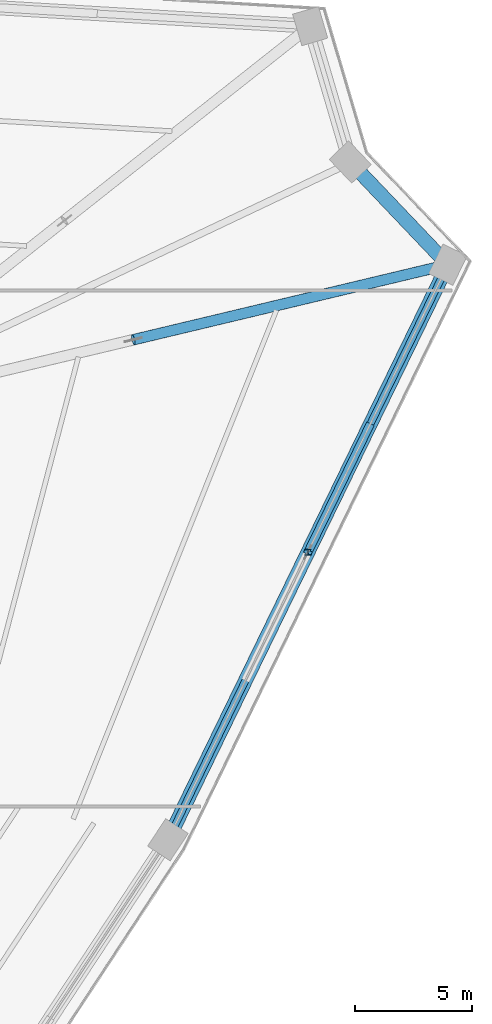
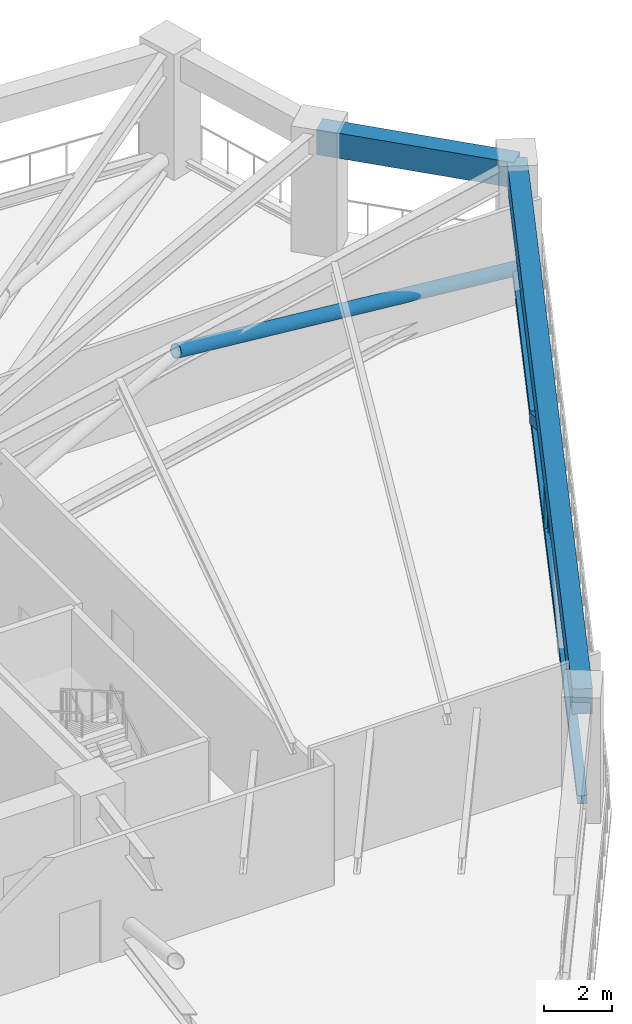
# One storey, part 10 of 23: 4 members, 2 beams.
"""IFC4 building model written with IfcOpenShell, lengths in metres."""

from ifc_helpers import new_model, si_unit, direction, frame, origin, origin_2d, place, context, subcontext, project, spatial, rectangle, hollow_rectangle, hollow_circle, i_section, extrude, source, transform, mapped, material, material_profile, profile_set, type_object, element, save


model = new_model("IFC4")

# Units and contexts
model_context = context("Model", 3, precision=1e-05, world=origin(), true_north=direction((0.0, 1.0)))
body_context = subcontext(model_context, "Body", "Model", "MODEL_VIEW")
ifc_project = project(units=[si_unit("LENGTHUNIT", "METRE"), si_unit("AREAUNIT", "SQUARE_METRE"), si_unit("VOLUMEUNIT", "CUBIC_METRE"), si_unit("PLANEANGLEUNIT", "RADIAN"), si_unit("MASSUNIT", "GRAM", prefix="KILO")], contexts=[model_context])

# Site, building, storey
site_placement = place(None, origin())
site = spatial("IfcSite", under=ifc_project, at=site_placement, CompositionType="ELEMENT")
building_placement = place(site_placement, origin())
building = spatial("IfcBuilding", under=site, at=building_placement, Name="Liaohun Quay Tower", CompositionType="ELEMENT")
storey_placement = place(building_placement, frame((0.0, 0.0, 139.5)))
storey = spatial("IfcBuildingStorey", under=building, at=storey_placement, Name="L36", CompositionType="ELEMENT", Elevation=139.5)

# Member
ifc_material_1 = material(Name="Steel Q355D", Category="steel")
ifc_material_profile_1 = material_profile(ifc_material_1, i_section(OverallWidth=0.25, OverallDepth=0.25, WebThickness=0.009033203125, FlangeThickness=0.013916015625, at=origin_2d()), Name="HW250x250x9x14")
ifc_profile_set_1 = profile_set([ifc_material_profile_1], Name="Steel Q355D")
member_type_1 = type_object("IfcMemberType", Name="MEM-BLT-PST", PredefinedType="POST", material=ifc_profile_set_1)
shared_shape_1 = source(origin(), body_context, "Body", "SweptSolid", [
    extrude(i_section(OverallWidth=0.25, OverallDepth=0.25, WebThickness=0.009033203125, FlangeThickness=0.013916015625, at=origin_2d()), origin(), (0.0, 0.0, 1.0), 3.669921875),
])
member_1_placement = place(storey_placement, frame((89.864013671875, 55.64208984375, 0.35009765625), z_axis=(0.0, 0.0, 1.0), x_axis=(1.0, 0.0, 0.0)))
element("IfcMember", 1, at=member_1_placement, inside=storey, type_object=member_type_1, Name="L36 Belt Truss Vertical Post BP-1-05", PredefinedType="POST", context=body_context, shape_type="MappedRepresentation", body=[
    mapped(shared_shape_1, transform((0.0, 0.0, 0.0), x_axis=(1.0, 0.0, 0.0), y_axis=(0.0, 1.0, 0.0), z_axis=(0.0, 0.0, 1.0), scale=1.0)),
])

# Beams
ifc_material_2 = material(Name="Precast concrete C55", Category="concrete")
ifc_material_profile_2 = material_profile(ifc_material_2, rectangle(XDim=0.60009765625, YDim=0.89990234375, at=origin_2d()), Name="RC600x900")
ifc_profile_set_2 = profile_set([ifc_material_profile_2], Name="Precast concrete C55")
beam_type = type_object("IfcBeamType", Name="BM-SPD-Z2", PredefinedType="SPANDREL", material=ifc_profile_set_2)
shared_shape_2 = source(origin(), body_context, "Body", "SweptSolid", [
    extrude(rectangle(XDim=0.60009765625, YDim=0.89990234375, at=origin_2d()), origin(), (0.0, 0.0, 1.0), 27.27490234375),
])
beam_1_placement = place(storey_placement, frame((95.833984375, 67.903076171875, 3.8701171875), z_axis=(-0.437725487977, -0.899108668168, 0.0), x_axis=(0.899108668168, -0.437725487977, 0.0)))
element("IfcBeam", 2, at=beam_1_placement, inside=storey, type_object=beam_type, Name="L36 Precast Spandrel Beam PC09-PC10", PredefinedType="SPANDREL", context=body_context, shape_type="MappedRepresentation", body=[
    mapped(shared_shape_2, transform((0.0, 0.0, 0.0), x_axis=(1.0, 0.0, 0.0), y_axis=(0.0, 1.0, 0.0), z_axis=(0.0, 0.0, 1.0), scale=1.0)),
])
shared_shape_3 = source(origin(), body_context, "Body", "SweptSolid", [
    extrude(rectangle(XDim=0.60009765625, YDim=0.89990234375, at=origin_2d()), origin(), (0.0, 0.0, 1.0), 6.04541015625),
])
beam_2_placement = place(storey_placement, frame((91.6669921875, 72.282958984375, 3.8701171875), z_axis=(0.689279952075, -0.724495098443, 0.0), x_axis=(0.724495098443, 0.689279952075, 0.0)))
element("IfcBeam", 3, at=beam_2_placement, inside=storey, type_object=beam_type, Name="L36 Precast Spandrel Beam PC08-PC09", PredefinedType="SPANDREL", context=body_context, shape_type="MappedRepresentation", body=[
    mapped(shared_shape_3, transform((0.0, 0.0, 0.0), x_axis=(1.0, 0.0, 0.0), y_axis=(0.0, 1.0, 0.0), z_axis=(0.0, 0.0, 1.0), scale=1.0)),
])

# Members
ifc_material_3 = material(Name="Steel Q420D", Category="steel")
ifc_material_profile_3 = material_profile(ifc_material_3, hollow_circle(Radius=0.228515625, WallThickness=0.02001953125, at=origin_2d()), Name="CHS457x20")
ifc_profile_set_3 = profile_set([ifc_material_profile_3], Name="Steel Q420D")
member_type_2 = type_object("IfcMemberType", Name="MEM-OUT-DG1", PredefinedType="BRACE", material=ifc_profile_set_3)
shared_shape_4 = source(origin(), body_context, "Body", "SweptSolid", [
    extrude(hollow_circle(Radius=0.228515625, WallThickness=0.02001953125, at=origin_2d()), origin(), (0.0, 0.0, 1.0), 14.2734375),
])
member_2_placement = place(storey_placement, frame((82.4169921875, 64.701904296875, 4.02001953125), z_axis=(0.939996134631, 0.224274498095, -0.257115181159), x_axis=(-0.232076740493, 0.972697479447, 0.0)))
element("IfcMember", 4, at=member_2_placement, inside=storey, type_object=member_type_2, Name="L36 Outrigger Diagonal OD-05B", PredefinedType="BRACE", context=body_context, shape_type="MappedRepresentation", body=[
    mapped(shared_shape_4, transform((0.0, 0.0, 0.0), x_axis=(1.0, 0.0, 0.0), y_axis=(0.0, 1.0, 0.0), z_axis=(0.0, 0.0, 1.0), scale=1.0)),
])
ifc_material_profile_4 = material_profile(ifc_material_1, i_section(OverallWidth=0.300048828125, OverallDepth=0.300048828125, WebThickness=0.010009765625, FlangeThickness=0.014892578125, at=origin_2d()), Name="HW300x300x10x15")
ifc_profile_set_4 = profile_set([ifc_material_profile_4], Name="Steel Q355D")
member_type_3 = type_object("IfcMemberType", Name="MEM-BLT-CHD", PredefinedType="CHORD", material=ifc_profile_set_4)
shared_shape_5 = source(origin(), body_context, "Body", "SweptSolid", [
    extrude(i_section(OverallWidth=0.300048828125, OverallDepth=0.300048828125, WebThickness=0.010009765625, FlangeThickness=0.014892578125, at=origin_2d()), origin(), (0.0, 0.0, 1.0), 27.27490234375),
])
member_3_placement = place(storey_placement, frame((95.833984375, 67.903076171875, 0.35009765625), z_axis=(-0.437725487977, -0.899108668168, 0.0), x_axis=(0.899108668168, -0.437725487977, 0.0)))
element("IfcMember", 5, at=member_3_placement, inside=storey, type_object=member_type_3, Name="L36 Belt Truss Bottom Chord BC-1-05", PredefinedType="CHORD", context=body_context, shape_type="MappedRepresentation", body=[
    mapped(shared_shape_5, transform((0.0, 0.0, 0.0), x_axis=(1.0, 0.0, 0.0), y_axis=(0.0, 1.0, 0.0), z_axis=(0.0, 0.0, 1.0), scale=1.0)),
])
ifc_material_profile_5 = material_profile(ifc_material_1, hollow_rectangle(XDim=0.35009765625, YDim=0.35009765625, WallThickness=0.01611328125, at=origin_2d()), Name="SHS350x350x16")
ifc_profile_set_5 = profile_set([ifc_material_profile_5], Name="Steel Q355D")
member_type_4 = type_object("IfcMemberType", Name="MEM-BLT-DG2", PredefinedType="BRACE", material=ifc_profile_set_5)
shared_shape_6 = source(origin(), body_context, "Body", "SweptSolid", [
    extrude(hollow_rectangle(XDim=0.35009765625, YDim=0.35009765625, WallThickness=0.01611328125, at=origin_2d()), origin(), (0.0, 0.0, 1.0), 7.033935546875),
])
member_4_placement = place(storey_placement, frame((92.490966796875, 61.037109375, 0.35009765625), z_axis=(-0.373471502341, -0.767004949696, 0.52174940736), x_axis=(0.89908103633, -0.437782240516, 0.0)))
element("IfcMember", 6, at=member_4_placement, inside=storey, type_object=member_type_4, Name="L36 Belt Truss Diagonal BD-05A", PredefinedType="BRACE", context=body_context, shape_type="MappedRepresentation", body=[
    mapped(shared_shape_6, transform((0.0, 0.0, 0.0), x_axis=(1.0, 0.0, 0.0), y_axis=(0.0, 1.0, 0.0), z_axis=(0.0, 0.0, 1.0), scale=1.0)),
])

save(model, "model.ifc")
